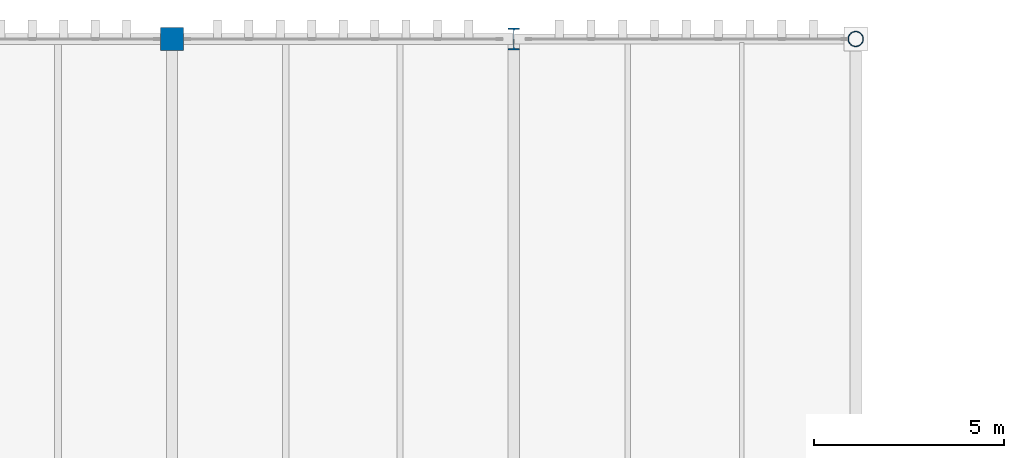
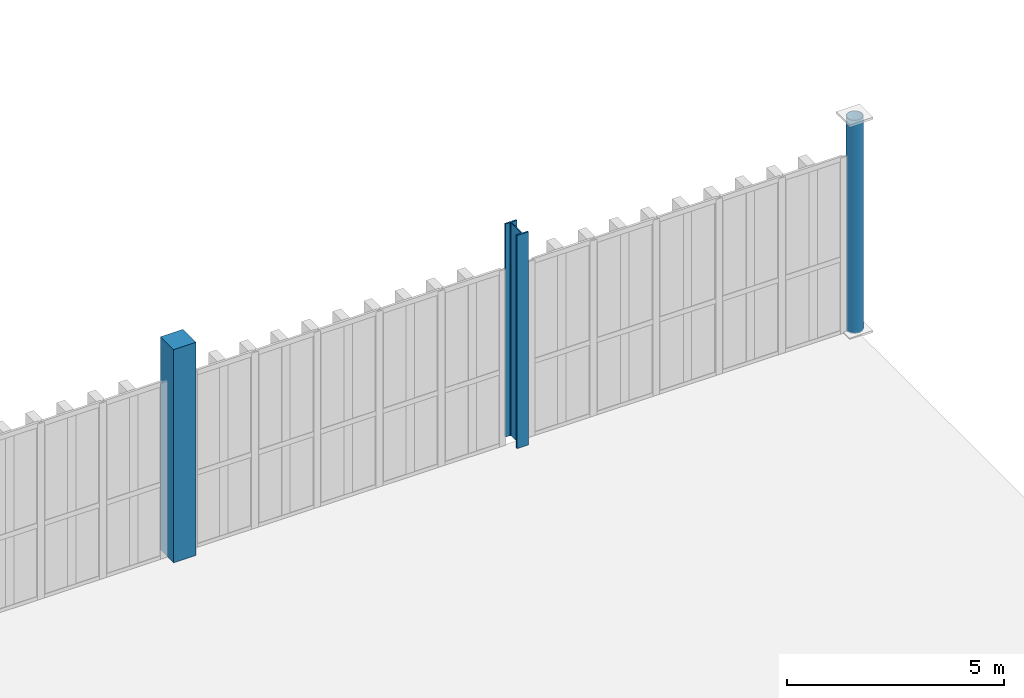
# One storey, part 24 of 211: 3 columns.
"""IFC4 building model written with IfcOpenShell, lengths in metres."""

from ifc_helpers import new_model, si_unit, direction, frame, origin, origin_2d, place, context, subcontext, project, spatial, rectangle, hollow_circle, i_section, extrude, material, material_profile, profile_set, type_object, element, save


model = new_model("IFC4")

# Units and contexts
model_context = context("Model", 3, precision=1e-05, world=origin(), true_north=direction((0.0, 1.0)))
body_context = subcontext(model_context, "Body", "Model", "MODEL_VIEW")
ifc_project = project(units=[si_unit("LENGTHUNIT", "METRE"), si_unit("AREAUNIT", "SQUARE_METRE"), si_unit("VOLUMEUNIT", "CUBIC_METRE"), si_unit("PLANEANGLEUNIT", "RADIAN"), si_unit("MASSUNIT", "GRAM", prefix="KILO")], contexts=[model_context])

# Site, building, storey
site_placement = place(None, origin())
site = spatial("IfcSite", under=ifc_project, at=site_placement, CompositionType="ELEMENT")
building_placement = place(site_placement, origin())
building = spatial("IfcBuilding", under=site, at=building_placement, Name="Barlavento Convention Centre", CompositionType="ELEMENT")
storey_placement = place(building_placement, frame((0.0, 0.0, 6.0)))
storey = spatial("IfcBuildingStorey", under=building, at=storey_placement, Name="L01", CompositionType="ELEMENT", Elevation=6.0)

# Columns
ifc_material_1 = material(Name="Steel S355", Category="steel")
ifc_material_profile_1 = material_profile(ifc_material_1, hollow_circle(Radius=0.203125, WallThickness=0.01611328125, at=origin_2d()), Name="CHS 406.4x16.0")
ifc_profile_set_1 = profile_set([ifc_material_profile_1], Name="Steel S355")
column_type_1 = type_object("IfcColumnType", Name="STR-COL-CHS406", PredefinedType="COLUMN", material=ifc_profile_set_1)
column_1_placement = place(storey_placement, frame((126.0, 135.0, 0.0), z_axis=(0.0, 0.0, 1.0), x_axis=(1.0, 0.0, 0.0)))
element("IfcColumn", 1, at=column_1_placement, inside=storey, type_object=column_type_1, Name="L01 column SC14", PredefinedType="COLUMN", context=body_context, shape_type="SweptSolid", body=[
    extrude(hollow_circle(Radius=0.203125, WallThickness=0.01611328125, at=origin_2d()), origin(), (0.0, 0.0, 1.0), 6.0),
])
ifc_material_profile_2 = material_profile(ifc_material_1, i_section(OverallWidth=0.305908203125, OverallDepth=0.572021484375, WebThickness=0.02099609375, FlangeThickness=0.0400390625, FilletRadius=0.027099609375, at=origin_2d()), Name="HEM 550")
ifc_profile_set_2 = profile_set([ifc_material_profile_2], Name="Steel S355")
column_type_2 = type_object("IfcColumnType", Name="STR-COL-HEM550", PredefinedType="COLUMN", material=ifc_profile_set_2)
column_2_placement = place(storey_placement, frame((117.0, 135.0, 0.0), z_axis=(0.0, 0.0, 1.0), x_axis=(1.0, 0.0, 0.0)))
element("IfcColumn", 2, at=column_2_placement, inside=storey, type_object=column_type_2, Name="L01 column SC06", PredefinedType="COLUMN", context=body_context, shape_type="SweptSolid", body=[
    extrude(i_section(OverallWidth=0.305908203125, OverallDepth=0.572021484375, WebThickness=0.02099609375, FlangeThickness=0.0400390625, FilletRadius=0.027099609375, at=origin_2d()), origin(), (0.0, 0.0, 1.0), 6.0),
])
ifc_material_2 = material(Name="Concrete C40/50", Category="concrete")
ifc_material_profile_3 = material_profile(ifc_material_2, rectangle(XDim=0.60009765625, YDim=0.60009765625, at=origin_2d()), Name="RC 600x600")
ifc_profile_set_3 = profile_set([ifc_material_profile_3], Name="Concrete C40/50")
column_type_3 = type_object("IfcColumnType", Name="STR-COL-RC600", PredefinedType="COLUMN", material=ifc_profile_set_3)
column_3_placement = place(storey_placement, frame((108.0, 135.0, 0.0), z_axis=(0.0, 0.0, 1.0), x_axis=(1.0, 0.0, 0.0)))
element("IfcColumn", 3, at=column_3_placement, inside=storey, type_object=column_type_3, Name="L01 column CC07", PredefinedType="COLUMN", context=body_context, shape_type="SweptSolid", body=[
    extrude(rectangle(XDim=0.60009765625, YDim=0.60009765625, at=origin_2d()), origin(), (0.0, 0.0, 1.0), 6.0),
])

save(model, "model.ifc")
